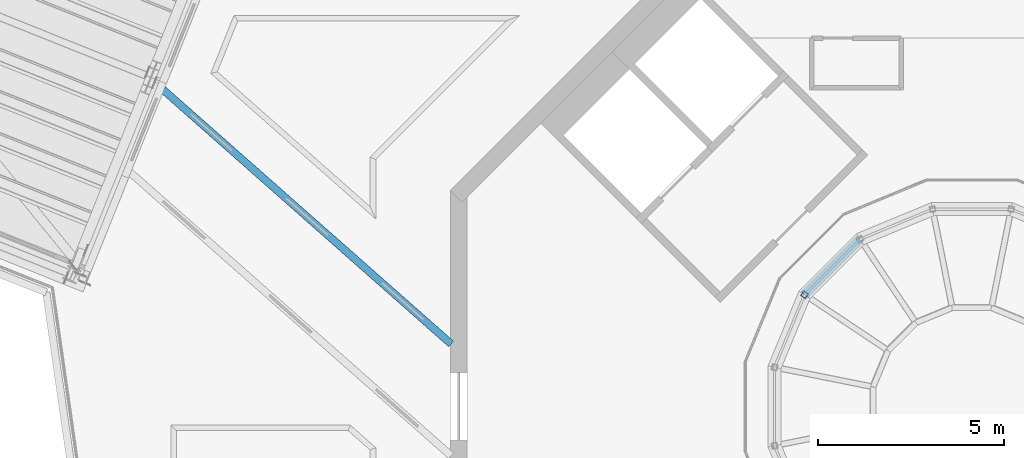
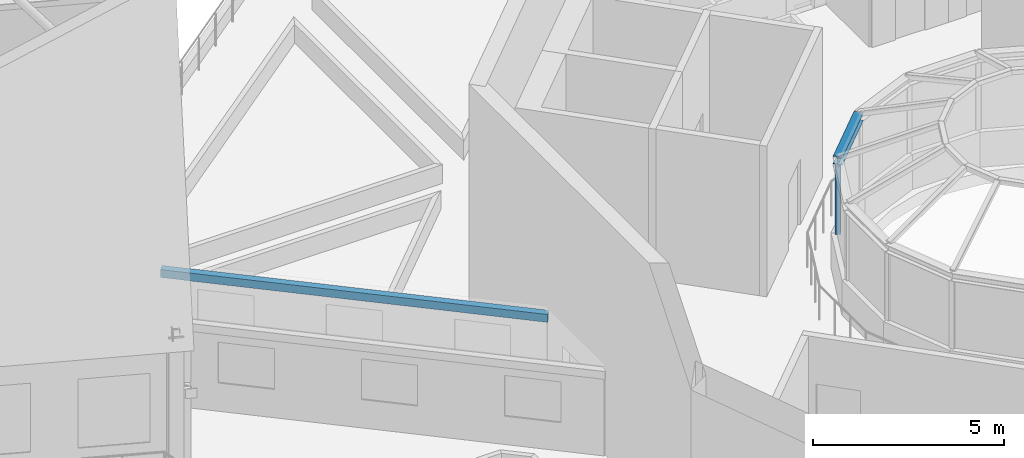
# One storey, part 6 of 32: 2 members, 1 beam, 2 elements without a shape of their own.
"""IFC4 building model written with IfcOpenShell, lengths in metres."""

from ifc_helpers import new_model, si_unit, direction, frame, origin, origin_2d, place, context, subcontext, project, spatial, rectangle, hollow_rectangle, i_section, extrude, material, layer, layer_set, material_profile, profile_set, type_object, element, aggregate, save


model = new_model("IFC4")

# Units and contexts
model_context = context("Model", 3, precision=1e-05, world=origin(), true_north=direction((0.0, 1.0)))
body_context = subcontext(model_context, "Body", "Model", "MODEL_VIEW")
ifc_project = project(units=[si_unit("LENGTHUNIT", "METRE"), si_unit("AREAUNIT", "SQUARE_METRE"), si_unit("VOLUMEUNIT", "CUBIC_METRE"), si_unit("PLANEANGLEUNIT", "RADIAN"), si_unit("MASSUNIT", "GRAM", prefix="KILO")], contexts=[model_context])

# Site, building, storey
site_placement = place(None, origin())
site = spatial("IfcSite", under=ifc_project, at=site_placement, CompositionType="ELEMENT")
building_placement = place(site_placement, origin())
building = spatial("IfcBuilding", under=site, at=building_placement, Name="Verdalira Terraces Hotel", CompositionType="ELEMENT")
storey_placement = place(building_placement, frame((0.0, 0.0, 315.0)))
storey = spatial("IfcBuildingStorey", under=building, at=storey_placement, Name="L78", CompositionType="ELEMENT", Elevation=315.0)

# Beam
ifc_material_1 = material(Name="Concrete C40", Category="concrete")
ifc_material_profile_1 = material_profile(ifc_material_1, rectangle(XDim=0.199951, YDim=0.25, at=origin_2d()), Name="RC 200X250")
ifc_profile_set_1 = profile_set([ifc_material_profile_1], Name="Concrete C40")
beam_type = type_object("IfcBeamType", Name="Garden link roof beam RC 200X250 Concrete C40", PredefinedType="BEAM", material=ifc_profile_set_1)
beam_placement = place(storey_placement, frame((-13.977539, 1.679199, 2.584961), z_axis=(-0.749743893, 0.661728112, 0.0), x_axis=(-0.661728112, -0.749743893, 0.0)))
element("IfcBeam", 1, at=beam_placement, inside=storey, type_object=beam_type, Name="Garden link roof beam K1-2", PredefinedType="BEAM", context=body_context, shape_type="SweptSolid", body=[
    extrude(rectangle(XDim=0.199951, YDim=0.25, at=origin_2d()), origin(), (0.0, 0.0, 1.0), 10.312988),
])

# Curtain wall, member
ifc_material_2 = material(Name="Clear laminated glass", Category="glass")
ifc_layer = layer(ifc_material_2, 0.14990234375)
ifc_layer_set = layer_set([ifc_layer], Name="Atrium lantern curtain wall")
curtain_wall_type = type_object("IfcCurtainWallType", Name="Atrium lantern curtain wall", PredefinedType="NOTDEFINED", material=ifc_layer_set)
curtain_wall_1_placement = place(storey_placement, origin())
curtain_wall_1 = element("IfcCurtainWall", 2, at=curtain_wall_1_placement, inside=storey, type_object=curtain_wall_type, Name="Atrium lantern curtain wall facet 6", PredefinedType="NOTDEFINED")
ifc_material_3 = material(Name="Steel ASTM A992 Grade 50", Category="steel")
ifc_material_profile_2 = material_profile(ifc_material_3, i_section(OverallWidth=0.253906, OverallDepth=0.253906, WebThickness=0.008545, FlangeThickness=0.01416, FilletRadius=0.012695, at=origin_2d()), Name="W10X49")
ifc_profile_set_2 = profile_set([ifc_material_profile_2], Name="Steel ASTM A992 Grade 50")
member_type_1 = type_object("IfcMemberType", Name="Lantern head transom W10X49", PredefinedType="USERDEFINED", material=ifc_profile_set_2)
member_1_placement = place(storey_placement, frame((-3.0, 4.48999, 3.427002), z_axis=(-0.707106781, -0.707106781, 0.0), x_axis=(0.707106781, -0.707106781, 0.0)))
member_1 = element("IfcMember", 3, at=member_1_placement, type_object=member_type_1, Name="Lantern head transom LR06", ObjectType="TRANSOM", PredefinedType="USERDEFINED", context=body_context, shape_type="SweptSolid", body=[
    extrude(i_section(OverallWidth=0.253906, OverallDepth=0.253906, WebThickness=0.008545, FlangeThickness=0.01416, FilletRadius=0.012695, at=origin_2d()), origin(), (0.0, 0.0, 1.0), 2.107178),
])
aggregate(curtain_wall_1, [member_1])

curtain_wall_2_placement = place(storey_placement, origin())
curtain_wall_2 = element("IfcCurtainWall", 4, at=curtain_wall_2_placement, inside=storey, type_object=curtain_wall_type, Name="Atrium lantern curtain wall facet 7", PredefinedType="NOTDEFINED")
ifc_material_4 = material(Name="Steel ASTM A500 Grade C", Category="steel")
ifc_material_profile_3 = material_profile(ifc_material_4, hollow_rectangle(XDim=0.15234375, YDim=0.15234375, WallThickness=0.005859375, InnerFilletRadius=0.0029296875, OuterFilletRadius=0.0087890625, at=origin_2d()), Name="HSS6X6X1/4")
ifc_profile_set_3 = profile_set([ifc_material_profile_3], Name="Steel ASTM A500 Grade C")
member_type_2 = type_object("IfcMemberType", Name="Lantern mullion HSS6X6X1/4", PredefinedType="MULLION", material=ifc_profile_set_3)
member_2_placement = place(storey_placement, frame((-4.48999, 3.0, 1.119385), z_axis=(0.0, 0.0, 1.0), x_axis=(-0.831469612, 0.555570233, 0.0)))
member_2 = element("IfcMember", 5, at=member_2_placement, type_object=member_type_2, Name="Lantern mullion LM07", PredefinedType="MULLION", context=body_context, shape_type="SweptSolid", body=[
    extrude(hollow_rectangle(XDim=0.15234375, YDim=0.15234375, WallThickness=0.005859375, InnerFilletRadius=0.0029296875, OuterFilletRadius=0.0087890625, at=origin_2d()), origin(), (0.0, 0.0, 1.0), 2.181152),
])
aggregate(curtain_wall_2, [member_2])

save(model, "model.ifc")
